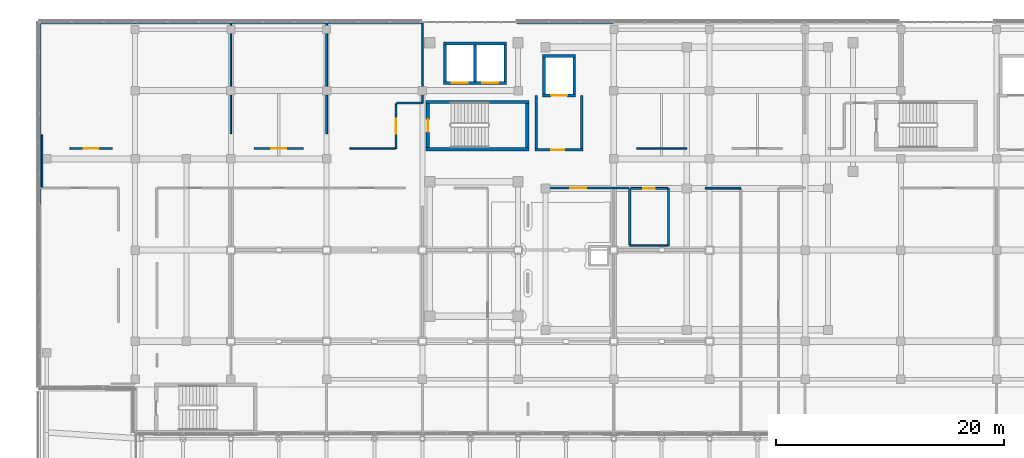
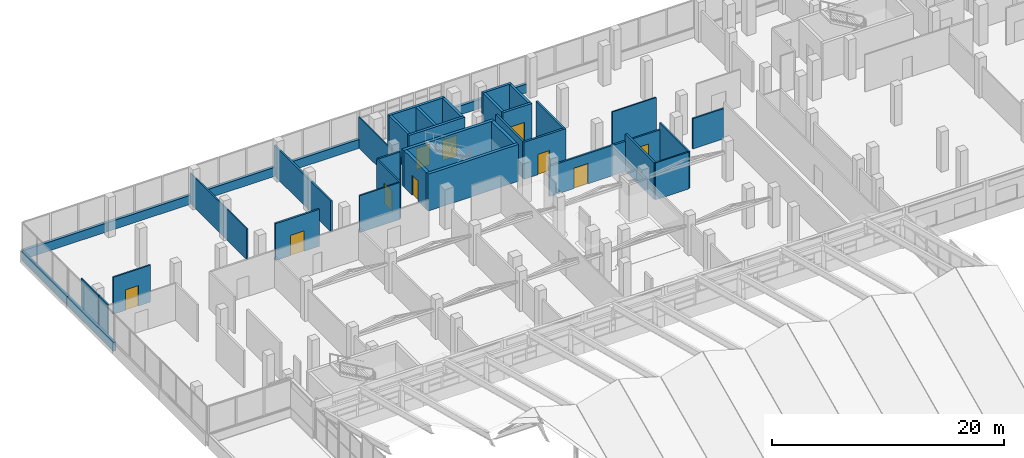
# One storey, part 166 of 184: 41 walls, 10 doors, 10 openings.
"""IFC4 building model written with IfcOpenShell, lengths in metres."""

import ifcopenshell
import ifcopenshell.guid

model = None  # the IFC model being written
_history = None  # IfcOwnerHistory: only IFC2X3 demands one
_inside = {}  # id of a spatial element -> (the spatial element, [elements in it])
_under = {}  # id of a project, library or spatial element -> (it, [spatial elements below it])
_declared = {}  # id of a project -> (the project, [libraries it declares])
_typed = {}  # id of a type object -> (the type object, [elements of that type])
_made_of = {}  # id of a material, layer set ... -> (it, [elements and type objects made of it])


def new_model(schema):
    """Start an empty IFC model of exactly this schema.

    Asked for "IFC4X3", IfcOpenShell would pick the latest addendum, in which some entities
    have other attributes; the version numbers below select the first issue.
    IFC2X3 requires an IfcOwnerHistory on every rooted entity: one is made here for all.
    """
    global model, _history
    if schema == "IFC4X3":
        model = ifcopenshell.file(schema_version=(4, 3, 0, 0))
    else:
        model = ifcopenshell.file(schema=schema)
    _inside.clear()
    _under.clear()
    _declared.clear()
    _typed.clear()
    _made_of.clear()
    _history = None
    if model.schema == "IFC2X3":
        org = make("IfcOrganization", Name="unknown")
        user = make(
            "IfcPersonAndOrganization",
            ThePerson=make("IfcPerson", FamilyName="unknown"),
            TheOrganization=org,
        )
        app = make(
            "IfcApplication",
            ApplicationDeveloper=org,
            Version="unknown",
            ApplicationFullName="unknown",
            ApplicationIdentifier="unknown",
        )
        _history = make(
            "IfcOwnerHistory",
            OwningUser=user,
            OwningApplication=app,
            ChangeAction="ADDED",
            CreationDate=0,
        )
    return model


def make(cls, **values):
    """One entity of the class cls with the attributes given. An attribute that is None is left unset."""
    return model.create_entity(
        cls, **{name: value for name, value in values.items() if value is not None}
    )


def rooted(cls, **values):
    """An entity with a GlobalId (a new one), such as an element, a storey or a relation."""
    return make(cls, GlobalId=ifcopenshell.guid.new(), OwnerHistory=_history, **values)


def si_unit(unit_type, name, prefix=None):
    """IfcSIUnit, for example si_unit("LENGTHUNIT", "METRE", prefix="MILLI")."""
    return make("IfcSIUnit", UnitType=unit_type, Prefix=prefix, Name=name)


def assignment(units):
    """IfcUnitAssignment: the units of a project."""
    return None if units is None else make("IfcUnitAssignment", Units=units)


def point(xyz):
    """IfcCartesianPoint."""
    return None if xyz is None else make("IfcCartesianPoint", Coordinates=xyz)


def direction(xyz):
    """IfcDirection."""
    return None if xyz is None else make("IfcDirection", DirectionRatios=xyz)


def frame(location, z_axis=None, x_axis=None):
    """IfcAxis2Placement3D, a coordinate frame: its origin and axes. An axis left out is left unset."""
    return make(
        "IfcAxis2Placement3D",
        Location=point(location),
        Axis=direction(z_axis),
        RefDirection=direction(x_axis),
    )


def frame_2d(location, x_axis=None):
    """IfcAxis2Placement2D, a coordinate frame in the plane: its origin and x axis."""
    return make(
        "IfcAxis2Placement2D", Location=point(location), RefDirection=direction(x_axis)
    )


def origin():
    """The frame at (0, 0, 0) with its axes left unset."""
    return frame((0.0, 0.0, 0.0))


def place(relative_to, where):
    """IfcLocalPlacement: puts the frame where relative to a parent placement (None: the world)."""
    return make(
        "IfcLocalPlacement", PlacementRelTo=relative_to, RelativePlacement=where
    )


def context(
    kind, dimensions, precision=None, world=None, true_north=None, identifier=None
):
    """IfcGeometricRepresentationContext, for example the 3D "Model" context."""
    return make(
        "IfcGeometricRepresentationContext",
        ContextIdentifier=identifier,
        ContextType=kind,
        CoordinateSpaceDimension=dimensions,
        Precision=precision,
        WorldCoordinateSystem=world,
        TrueNorth=true_north,
    )


def subcontext(parent, identifier, kind, view, scale=None):
    """IfcGeometricRepresentationSubContext, for example "Body" below "Model"."""
    return make(
        "IfcGeometricRepresentationSubContext",
        ContextIdentifier=identifier,
        ContextType=kind,
        ParentContext=parent,
        TargetScale=scale,
        TargetView=view,
    )


def project(units=None, contexts=None):
    """IfcProject with its units and contexts."""
    return rooted(
        "IfcProject",
        Name="project",
        RepresentationContexts=contexts,
        UnitsInContext=assignment(units),
    )


def spatial(cls, under=None, at=None, **own):
    """A site, building, storey or space (cls), placed at a placement, below another one or the project."""
    s = rooted(cls, ObjectPlacement=at, **own)
    if under is not None:
        _under.setdefault(under.id(), (under, []))[1].append(s)
    return s


def profile(cls, at=None, kind="AREA", **sizes):
    """A parametric profile (cls). Its sizes go by their IFC names, for example OverallWidth=200.0."""
    return make(cls, ProfileType=kind, Position=at, **sizes)


def rectangle(**sizes):
    """IfcRectangleProfileDef."""
    return profile("IfcRectangleProfileDef", **sizes)


def extrude(swept, where, along, depth):
    """IfcExtrudedAreaSolid: the profile swept, set in the frame where, extruded along a direction by depth."""
    return make(
        "IfcExtrudedAreaSolid",
        SweptArea=swept,
        Position=where,
        ExtrudedDirection=direction(along),
        Depth=depth,
    )


def shape(context_of_items, identifier, shape_type, items):
    """IfcShapeRepresentation: the items that make up one representation, for example the "Body"."""
    return make(
        "IfcShapeRepresentation",
        ContextOfItems=context_of_items,
        RepresentationIdentifier=identifier,
        RepresentationType=shape_type,
        Items=items,
    )


def material(Name=None, Category=None):
    """IfcMaterial."""
    return make("IfcMaterial", Name=Name, Category=Category)


def layer(
    of_material, thickness, ventilated=None, Name=None, Category=None, Priority=None
):
    """IfcMaterialLayer: one layer of a wall or slab, of a material (None: an air gap)."""
    return make(
        "IfcMaterialLayer",
        Material=of_material,
        LayerThickness=thickness,
        IsVentilated=ventilated,
        Name=Name,
        Category=Category,
        Priority=Priority,
    )


def layer_set(layers, Name=None):
    """IfcMaterialLayerSet."""
    return make("IfcMaterialLayerSet", MaterialLayers=layers, LayerSetName=Name)


def made_of(thing, what):
    """Note that an element or type object is made of a material, layer set ...; save() writes the relation."""
    if what is not None:
        _made_of.setdefault(what.id(), (what, []))[1].append(thing)
    return thing


def type_object(cls, material=None, **own):
    """A type object (cls), such as IfcWallType, which elements share."""
    return made_of(rooted(cls, **own), material)


def element(
    cls,
    number,
    at=None,
    inside=None,
    cuts=None,
    type_object=None,
    material=None,
    context=None,
    identifier="Body",
    shape_type=None,
    held_by="IfcProductDefinitionShape",
    body=None,
    shapes=None,
    **own,
):
    """One element of the class cls, such as IfcWall. Its Tag is "e" and its number.

    at: its placement. inside: the storey or other place that contains it. cuts: it is an
    opening in that element (IfcRelVoidsElement). A single representation is given by context,
    identifier, shape_type and body (its items); several are given by shapes. held_by: the class
    of the entity that holds the representations. save() writes the other relations.
    """
    e = rooted(cls, Tag="e%d" % number, ObjectPlacement=at, **own)
    if body is not None:
        shapes = [shape(context, identifier, shape_type, body)]
    if shapes is not None:
        e.Representation = make(held_by, Representations=shapes)
    if inside is not None:
        _inside.setdefault(inside.id(), (inside, []))[1].append(e)
    if cuts is not None:
        rooted(
            "IfcRelVoidsElement", RelatingBuildingElement=cuts, RelatedOpeningElement=e
        )
    if type_object is not None:
        _typed.setdefault(type_object.id(), (type_object, []))[1].append(e)
    return made_of(e, material)


def fill(opening, filler):
    """IfcRelFillsElement: the door or window that sits in an opening."""
    return rooted(
        "IfcRelFillsElement",
        RelatingOpeningElement=opening,
        RelatedBuildingElement=filler,
    )


def aggregate(whole, parts):
    """IfcRelAggregates: a whole, such as a stair, and the parts it consists of."""
    return rooted("IfcRelAggregates", RelatingObject=whole, RelatedObjects=parts)


def save(model, path):
    """Write the relations noted so far, then the file.

    IfcRelAggregates (storeys below a building ...), IfcRelContainedInSpatialStructure (elements
    in a storey), IfcRelDefinesByType, IfcRelAssociatesMaterial and IfcRelDeclares: one each for
    every whole, place, type object, material and project.
    """
    for whole, parts in _under.values():
        aggregate(whole, parts)
    for where, things in _inside.values():
        rooted(
            "IfcRelContainedInSpatialStructure",
            RelatedElements=things,
            RelatingStructure=where,
        )
    for kind, things in _typed.values():
        rooted("IfcRelDefinesByType", RelatedObjects=things, RelatingType=kind)
    for what, things in _made_of.values():
        rooted("IfcRelAssociatesMaterial", RelatedObjects=things, RelatingMaterial=what)
    for by, libraries in _declared.values():
        rooted("IfcRelDeclares", RelatingContext=by, RelatedDefinitions=libraries)
    model.write(path)


model = new_model("IFC4")

# Units and contexts
model_context = context("Model", 3, precision=1e-05, world=origin(), true_north=direction((0.0, 1.0)))
body_context = subcontext(model_context, "Body", "Model", "MODEL_VIEW")
ifc_project = project(units=[si_unit("LENGTHUNIT", "METRE"), si_unit("AREAUNIT", "SQUARE_METRE"), si_unit("VOLUMEUNIT", "CUBIC_METRE"), si_unit("PLANEANGLEUNIT", "RADIAN"), si_unit("MASSUNIT", "GRAM", prefix="KILO")], contexts=[model_context])

# Site, building, storey
site_placement = place(None, origin())
site = spatial("IfcSite", under=ifc_project, at=site_placement, CompositionType="ELEMENT")
building_placement = place(site_placement, origin())
building = spatial("IfcBuilding", under=site, at=building_placement, Name="Selatvlak General Hospital", CompositionType="ELEMENT")
storey_placement = place(building_placement, frame((0.0, 0.0, 15.0)))
storey = spatial("IfcBuildingStorey", under=building, at=storey_placement, Name="L03", CompositionType="ELEMENT", Elevation=15.0)

# Walls
ifc_material_1 = material(Name="Precast concrete C40/50 - white Bauhaus spandrel", Category="concrete")
ifc_layer_1 = layer(ifc_material_1, 0.280029296875, Name="Precast concrete C40/50 - white Bauhaus spandrel", Category="concrete")
ifc_layer_set_1 = layer_set([ifc_layer_1], Name="Precast concrete C40/50 - white Bauhaus spandrel")
wall_type_1 = type_object("IfcWallType", Name="WALL-EW-02", PredefinedType="SOLIDWALL", material=ifc_layer_set_1)
wall_1_placement = place(storey_placement, frame((14.39990234375, 104.0009765625, 0.0), z_axis=(0.0, 0.0, 1.0), x_axis=(0.0, 1.0, 0.0)))
element("IfcWall", 1, at=wall_1_placement, inside=storey, type_object=wall_type_1, Name="L03 Bauhaus spandrel sill wall 0360", PredefinedType="SOLIDWALL", context=body_context, shape_type="SweptSolid", body=[
    extrude(rectangle(XDim=7.99609375, YDim=0.280029296875, at=frame_2d((3.998046875, 0.0))), origin(), (0.0, 0.0, 1.0), 0.93994140625),
])
wall_2_placement = place(storey_placement, frame((14.39990234375, 112.0009765625, 0.0), z_axis=(0.0, 0.0, 1.0), x_axis=(0.0, 1.0, 0.0)))
element("IfcWall", 2, at=wall_2_placement, inside=storey, type_object=wall_type_1, Name="L03 Bauhaus spandrel sill wall 0361", PredefinedType="SOLIDWALL", context=body_context, shape_type="SweptSolid", body=[
    extrude(rectangle(XDim=7.85791015625, YDim=0.280029296875, at=frame_2d((3.928955078125, 0.0))), origin(), (0.0, 0.0, 1.0), 0.93994140625),
])
wall_3_placement = place(storey_placement, frame((14.5400390625, 119.9990234375, 0.0), z_axis=(0.0, 0.0, 1.0), x_axis=(1.0, 0.0, 0.0)))
element("IfcWall", 3, at=wall_3_placement, inside=storey, type_object=wall_type_1, Name="L03 Bauhaus spandrel sill wall 0362", PredefinedType="SOLIDWALL", context=body_context, shape_type="SweptSolid", body=[
    extrude(rectangle(XDim=8.238037109375, YDim=0.280029296875, at=frame_2d((4.119140625, 0.0))), origin(), (0.0, 0.0, 1.0), 0.93994140625),
])
for number, where, z_axis, x_axis, name in (
    (4, (22.781982421875, 119.9990234375, 0.0), (0.0, 0.0, 1.0), (1.0, 0.0, 0.0), "L03 Bauhaus spandrel sill wall 0363"),
    (5, (31.162109375, 119.9990234375, 0.0), (0.0, 0.0, 1.0), (1.0, 0.0, 0.0), "L03 Bauhaus spandrel sill wall 0364"),
    (6, (39.5419921875, 119.9990234375, 0.0), (0.0, 0.0, 1.0), (1.0, 0.0, 0.0), "L03 Bauhaus spandrel sill wall 0365"),
    (7, (56.302001953125, 119.9990234375, 0.0), (0.0, 0.0, 1.0), (1.0, 0.0, 0.0), "L03 Bauhaus spandrel sill wall 0366"),
):
    element("IfcWall", number, at=place(storey_placement, frame(where, z_axis=z_axis, x_axis=x_axis)), inside=storey, type_object=wall_type_1, Name=name, PredefinedType="SOLIDWALL", context=body_context, shape_type="SweptSolid", body=[
        extrude(rectangle(XDim=8.3759765625, YDim=0.280029296875, at=frame_2d((4.18798828125, 0.0))), origin(), (0.0, 0.0, 1.0), 0.93994140625),
    ])

# Wall, opening, door
ifc_material_2 = material(Name="Concrete C40/50", Category="concrete")
ifc_layer_2 = layer(ifc_material_2, 0.199951171875, Name="Concrete C40/50", Category="concrete")
ifc_layer_set_2 = layer_set([ifc_layer_2], Name="Concrete C40/50")
wall_type_2 = type_object("IfcWallType", Name="WALL-IW-02", PredefinedType="SOLIDWALL", material=ifc_layer_set_2)
wall_4_placement = place(storey_placement, frame((57.89990234375, 108.800048828125, 0.0), z_axis=(0.0, 0.0, 1.0), x_axis=(1.0, 0.0, 0.0)))
wall_4 = element("IfcWall", 8, at=wall_4_placement, inside=storey, type_object=wall_type_2, Name="Firefighting lobby C1 wall L03 S", PredefinedType="SOLIDWALL", context=body_context, shape_type="SweptSolid", body=[
    extrude(rectangle(XDim=4.2001953125, YDim=0.199951171875, at=frame_2d((2.10009765625, 0.0))), origin(), (0.0, 0.0, 1.0), 3.89501953125),
])
opening_1_placement = place(wall_4_placement, frame((1.425048828125, 0.0, 0.0)))
opening_1 = element("IfcOpeningElement", 9, at=opening_1_placement, cuts=wall_4, Name="Opening D-06", PredefinedType="OPENING", context=body_context, shape_type="SweptSolid", body=[
    extrude(rectangle(XDim=1.14990234375, YDim=2.14990234375, at=frame_2d((0.574951171875, 1.074951171875))), frame((0.0, 0.10986328125, 0.0), z_axis=(0.0, -1.0, 0.0), x_axis=(1.0, 0.0, 0.0)), (0.0, 0.0, 1.0), 0.219970703125),
])
ifc_material_3 = material(Name="Firefighting lobby fire door")
door_type_1 = type_object("IfcDoorType", Name="DOOR-D-06", OperationType="NOTDEFINED", PredefinedType="DOOR", material=ifc_material_3)
door_1_placement = place(opening_1_placement, origin())
door_1 = element("IfcDoor", 10, at=door_1_placement, inside=storey, type_object=door_type_1, Name="Firefighting lobby C1 door on L03", OperationType="SINGLE_SWING_RIGHT", OverallHeight=2.14990234375, OverallWidth=1.14990234375, PredefinedType="DOOR", context=body_context, shape_type="SweptSolid", body=[
    extrude(rectangle(XDim=1.14990234375, YDim=2.14990234375, at=frame_2d((0.574951171875, 1.074951171875))), frame((0.0, 0.02490234375, 0.0), z_axis=(0.0, -1.0, 0.0), x_axis=(1.0, 0.0, 0.0)), (0.0, 0.0, 1.0), 0.050048828125),
])
fill(opening_1, door_1)

# Walls
for number, where, z_axis, x_axis, name in (
    (11, (62.0, 108.89990234375, 0.0), (0.0, 0.0, 1.0), (0.0, 1.0, 0.0), "Firefighting lobby C1 wall L03 E"),
    (12, (58.0, 113.550048828125, 0.0), (0.0, 0.0, 1.0), (0.0, -1.0, 0.0), "Firefighting lobby C1 wall L03 W"),
):
    element("IfcWall", number, at=place(storey_placement, frame(where, z_axis=z_axis, x_axis=x_axis)), inside=storey, type_object=wall_type_2, Name=name, PredefinedType="SOLIDWALL", context=body_context, shape_type="SweptSolid", body=[
        extrude(rectangle(XDim=4.650146484375, YDim=0.199951171875, at=frame_2d((2.3251953125, 0.0))), origin(), (0.0, 0.0, 1.0), 3.89501953125),
    ])
ifc_material_4 = material(Name="Acoustic gypsum stud partition")
ifc_layer_3 = layer(ifc_material_4, 0.179931640625, Name="Acoustic gypsum stud partition")
ifc_layer_set_3 = layer_set([ifc_layer_3], Name="Acoustic gypsum stud partition")
wall_type_3 = type_object("IfcWallType", Name="WALL-PT-01", PredefinedType="PARTITIONING", material=ifc_layer_set_3)
wall_5_placement = place(storey_placement, frame((66.199951171875, 100.464111328125, 0.0), z_axis=(0.0, 0.0, 1.0), x_axis=(0.0, 1.0, 0.0)))
element("IfcWall", 13, at=wall_5_placement, inside=storey, type_object=wall_type_3, Name="L03 clinical partition PT-L03-1368", PredefinedType="PARTITIONING", context=body_context, shape_type="SweptSolid", body=[
    extrude(rectangle(XDim=4.955810546875, YDim=0.179931640625, at=frame_2d((2.47802734375, 0.0))), origin(), (0.0, 0.0, 1.0), 3.89501953125),
])

# Wall, opening, door
wall_6_placement = place(storey_placement, frame((58.534912109375, 105.43994140625, 0.0), z_axis=(0.0, 0.0, 1.0), x_axis=(1.0, 0.0, 0.0)))
wall_6 = element("IfcWall", 14, at=wall_6_placement, inside=storey, type_object=wall_type_3, Name="L03 clinical partition PT-L03-1563", PredefinedType="PARTITIONING", context=body_context, shape_type="SweptSolid", body=[
    extrude(rectangle(XDim=6.26513671875, YDim=0.179931640625, at=frame_2d((3.132568359375, 0.0))), origin(), (0.0, 0.0, 1.0), 3.195068359375),
])
opening_2_placement = place(wall_6_placement, frame((2.43310546875, 0.0, 0.0)))
opening_2 = element("IfcOpeningElement", 15, at=opening_2_placement, cuts=wall_6, Name="Opening D-11", PredefinedType="OPENING", context=body_context, shape_type="SweptSolid", body=[
    extrude(rectangle(XDim=1.39990234375, YDim=2.14990234375, at=frame_2d((0.699951171875, 1.074951171875))), frame((0.0, 0.099853515625, 0.0), z_axis=(0.0, -1.0, 0.0), x_axis=(1.0, 0.0, 0.0)), (0.0, 0.0, 1.0), 0.199951171875),
])
ifc_material_5 = material(Name="Inpatient suite bed door")
door_type_2 = type_object("IfcDoorType", Name="DOOR-D-11", OperationType="NOTDEFINED", PredefinedType="DOOR", material=ifc_material_5)
door_2_placement = place(opening_2_placement, origin())
door_2 = element("IfcDoor", 16, at=door_2_placement, inside=storey, type_object=door_type_2, Name="L03 Medical Vacuum Plant Room 35 door", OperationType="SINGLE_SWING_RIGHT", OverallHeight=2.14990234375, OverallWidth=1.39990234375, PredefinedType="DOOR", context=body_context, shape_type="SweptSolid", body=[
    extrude(rectangle(XDim=1.39990234375, YDim=2.14990234375, at=frame_2d((0.699951171875, 1.074951171875))), frame((0.0, 0.02490234375, 0.0), z_axis=(0.0, -1.0, 0.0), x_axis=(1.0, 0.0, 0.0)), (0.0, 0.0, 1.0), 0.050048828125),
])
fill(opening_2, door_2)

# Wall
wall_7_placement = place(storey_placement, frame((64.800048828125, 105.43994140625, 0.0), z_axis=(0.0, 0.0, 1.0), x_axis=(1.0, 0.0, 0.0)))
element("IfcWall", 17, at=wall_7_placement, inside=storey, type_object=wall_type_3, Name="L03 clinical partition PT-L03-1565", PredefinedType="PARTITIONING", context=body_context, shape_type="SweptSolid", body=[
    extrude(rectangle(XDim=1.320068359375, YDim=0.179931640625, at=frame_2d((0.66015625, 0.0))), origin(), (0.0, 0.0, 1.0), 3.195068359375),
])

# Wall, opening, door
wall_8_placement = place(storey_placement, frame((37.589111328125, 108.909912109375, 0.0), z_axis=(0.0, 0.0, 1.0), x_axis=(-1.0, 0.0, 0.0)))
wall_8 = element("IfcWall", 18, at=wall_8_placement, inside=storey, type_object=wall_type_3, Name="L03 clinical partition PT-L03-1615", PredefinedType="PARTITIONING", context=body_context, shape_type="SweptSolid", body=[
    extrude(rectangle(XDim=4.378173828125, YDim=0.179931640625, at=frame_2d((2.18896484375, 0.0))), origin(), (0.0, 0.0, 1.0), 3.89501953125),
])
opening_3_placement = place(wall_8_placement, frame((1.513916015625, 0.0, 0.0)))
opening_3 = element("IfcOpeningElement", 19, at=opening_3_placement, cuts=wall_8, Name="Opening D-10", PredefinedType="OPENING", context=body_context, shape_type="SweptSolid", body=[
    extrude(rectangle(XDim=1.35009765625, YDim=2.14990234375, at=frame_2d((0.675048828125, 1.074951171875))), frame((0.0, 0.099853515625, 0.0), z_axis=(0.0, -1.0, 0.0), x_axis=(1.0, 0.0, 0.0)), (0.0, 0.0, 1.0), 0.199951171875),
])
ifc_material_6 = material(Name="Single patient bed door")
door_type_3 = type_object("IfcDoorType", Name="DOOR-D-10", OperationType="NOTDEFINED", PredefinedType="DOOR", material=ifc_material_6)
door_3_placement = place(opening_3_placement, origin())
door_3 = element("IfcDoor", 20, at=door_3_placement, inside=storey, type_object=door_type_3, Name="L03 Microbiology Serology Laboratory 51 door", OperationType="SINGLE_SWING_LEFT", OverallHeight=2.14990234375, OverallWidth=1.35009765625, PredefinedType="DOOR", context=body_context, shape_type="SweptSolid", body=[
    extrude(rectangle(XDim=1.35009765625, YDim=2.14990234375, at=frame_2d((0.675048828125, 1.074951171875))), frame((0.0, 0.02490234375, 0.0), z_axis=(0.0, -1.0, 0.0), x_axis=(1.0, 0.0, 0.0)), (0.0, 0.0, 1.0), 0.050048828125),
])
fill(opening_3, door_3)

# Walls
wall_9_placement = place(storey_placement, frame((47.944091796875, 112.89990234375, 0.0), z_axis=(0.0, 0.0, 1.0), x_axis=(-1.0, 0.0, 0.0)))
element("IfcWall", 21, at=wall_9_placement, inside=storey, type_object=wall_type_3, Name="L03 clinical partition PT-L03-1620", PredefinedType="PARTITIONING", context=body_context, shape_type="SweptSolid", body=[
    extrude(rectangle(XDim=2.194091796875, YDim=0.179931640625, at=frame_2d((1.09716796875, 0.0))), origin(), (0.0, 0.0, 1.0), 3.89501953125),
])
ifc_layer_4 = layer(ifc_material_4, 0.1650390625, Name="Acoustic gypsum stud partition")
ifc_layer_set_4 = layer_set([ifc_layer_4], Name="Acoustic gypsum stud partition")
wall_type_4 = type_object("IfcWallType", Name="WALL-PT-02", PredefinedType="PARTITIONING", material=ifc_layer_set_4)
wall_10_placement = place(storey_placement, frame((69.60009765625, 105.419921875, 0.0), z_axis=(0.0, 0.0, 1.0), x_axis=(0.0, -1.0, 0.0)))
element("IfcWall", 22, at=wall_10_placement, inside=storey, type_object=wall_type_4, Name="L03 clinical partition PT-L03-1366", PredefinedType="PARTITIONING", context=body_context, shape_type="SweptSolid", body=[
    extrude(rectangle(XDim=5.02001953125, YDim=0.1650390625, at=frame_2d((2.510009765625, 0.0))), origin(), (0.0, 0.0, 1.0), 3.89501953125),
])

# Wall, opening, door
wall_11_placement = place(storey_placement, frame((66.285888671875, 105.419921875, 0.0), z_axis=(0.0, 0.0, 1.0), x_axis=(1.0, 0.0, 0.0)))
wall_11 = element("IfcWall", 23, at=wall_11_placement, inside=storey, type_object=wall_type_4, Name="L03 clinical partition PT-L03-1369", PredefinedType="PARTITIONING", context=body_context, shape_type="SweptSolid", body=[
    extrude(rectangle(XDim=3.235107421875, YDim=0.1650390625, at=frame_2d((1.61767578125, 0.0))), origin(), (0.0, 0.0, 1.0), 3.195068359375),
])
opening_4_placement = place(wall_11_placement, frame((1.116943359375, 0.0, 0.0)))
opening_4 = element("IfcOpeningElement", 24, at=opening_4_placement, cuts=wall_11, Name="Opening D-03", PredefinedType="OPENING", context=body_context, shape_type="SweptSolid", body=[
    extrude(rectangle(XDim=1.0, YDim=2.10009765625, at=frame_2d((0.5, 1.050048828125))), frame((0.0, 0.092529296875, 0.0), z_axis=(0.0, -1.0, 0.0), x_axis=(1.0, 0.0, 0.0)), (0.0, 0.0, 1.0), 0.18505859375),
])
ifc_material_7 = material(Name="Accessible WC door")
door_type_4 = type_object("IfcDoorType", Name="DOOR-D-03", OperationType="NOTDEFINED", PredefinedType="DOOR", material=ifc_material_7)
door_4_placement = place(opening_4_placement, origin())
door_4 = element("IfcDoor", 25, at=door_4_placement, inside=storey, type_object=door_type_4, Name="L03 Accessible WC door", OperationType="SINGLE_SWING_LEFT", OverallHeight=2.10009765625, OverallWidth=1.0, PredefinedType="DOOR", context=body_context, shape_type="SweptSolid", body=[
    extrude(rectangle(XDim=1.0, YDim=2.10009765625, at=frame_2d((0.5, 1.050048828125))), frame((0.0, 0.02490234375, 0.0), z_axis=(0.0, -1.0, 0.0), x_axis=(1.0, 0.0, 0.0)), (0.0, 0.0, 1.0), 0.050048828125),
])
fill(opening_4, door_4)

# Walls
wall_12_placement = place(storey_placement, frame((72.820068359375, 105.43994140625, 0.0), z_axis=(0.0, 0.0, 1.0), x_axis=(1.0, 0.0, 0.0)))
element("IfcWall", 26, at=wall_12_placement, inside=storey, type_object=wall_type_4, Name="L03 clinical partition PT-L03-1566", PredefinedType="PARTITIONING", context=body_context, shape_type="SweptSolid", body=[
    extrude(rectangle(XDim=3.119873046875, YDim=0.1650390625, at=frame_2d((1.56005859375, 0.0))), origin(), (0.0, 0.0, 1.0), 3.195068359375),
])
wall_13_placement = place(storey_placement, frame((39.60009765625, 119.95703125, 0.0), z_axis=(0.0, 0.0, 1.0), x_axis=(0.0, -1.0, 0.0)))
element("IfcWall", 27, at=wall_13_placement, inside=storey, type_object=wall_type_4, Name="L03 clinical partition PT-L03-1616", PredefinedType="PARTITIONING", context=body_context, shape_type="SweptSolid", body=[
    extrude(rectangle(XDim=9.7470703125, YDim=0.1650390625, at=frame_2d((4.87353515625, 0.0))), origin(), (0.0, 0.0, 1.0), 3.2451171875),
])

# Wall, opening, door
ifc_layer_5 = layer(ifc_material_4, 0.14990234375, Name="Acoustic gypsum stud partition")
ifc_layer_set_5 = layer_set([ifc_layer_5], Name="Acoustic gypsum stud partition")
wall_type_5 = type_object("IfcWallType", Name="WALL-PT-03", PredefinedType="PARTITIONING", material=ifc_layer_set_5)
wall_14_placement = place(storey_placement, frame((20.7890625, 108.909912109375, 0.0), z_axis=(0.0, 0.0, 1.0), x_axis=(-1.0, 0.0, 0.0)))
wall_14 = element("IfcWall", 28, at=wall_14_placement, inside=storey, type_object=wall_type_5, Name="L03 clinical partition PT-L03-1612", PredefinedType="PARTITIONING", context=body_context, shape_type="SweptSolid", body=[
    extrude(rectangle(XDim=3.72802734375, YDim=0.14990234375, at=frame_2d((1.864013671875, 0.0))), origin(), (0.0, 0.0, 1.0), 3.89501953125),
])
opening_5_placement = place(wall_14_placement, frame((1.239013671875, 0.0, 0.0)))
opening_5 = element("IfcOpeningElement", 29, at=opening_5_placement, cuts=wall_14, Name="Opening D-08", PredefinedType="OPENING", context=body_context, shape_type="SweptSolid", body=[
    extrude(rectangle(XDim=1.25, YDim=2.14990234375, at=frame_2d((0.625, 1.074951171875))), frame((0.0, 0.0849609375, 0.0), z_axis=(0.0, -1.0, 0.0), x_axis=(1.0, 0.0, 0.0)), (0.0, 0.0, 1.0), 0.169921875),
])
ifc_material_8 = material(Name="Diagnostic treatment door")
door_type_5 = type_object("IfcDoorType", Name="DOOR-D-08", OperationType="NOTDEFINED", PredefinedType="DOOR", material=ifc_material_8)
door_5_placement = place(opening_5_placement, origin())
door_5 = element("IfcDoor", 30, at=door_5_placement, inside=storey, type_object=door_type_5, Name="L03 Outpatient Specialist Waiting Concourse 50 door", OperationType="SINGLE_SWING_RIGHT", OverallHeight=2.14990234375, OverallWidth=1.25, PredefinedType="DOOR", context=body_context, shape_type="SweptSolid", body=[
    extrude(rectangle(XDim=1.25, YDim=2.14990234375, at=frame_2d((0.625, 1.074951171875))), frame((0.0, 0.02490234375, 0.0), z_axis=(0.0, -1.0, 0.0), x_axis=(1.0, 0.0, 0.0)), (0.0, 0.0, 1.0), 0.050048828125),
])
fill(opening_5, door_5)

wall_15_placement = place(storey_placement, frame((45.68994140625, 112.840087890625, 0.0), z_axis=(0.0, 0.0, 1.0), x_axis=(0.0, -1.0, 0.0)))
wall_15 = element("IfcWall", 31, at=wall_15_placement, inside=storey, type_object=wall_type_5, Name="L03 clinical partition PT-L03-1617", PredefinedType="PARTITIONING", context=body_context, shape_type="SweptSolid", body=[
    extrude(rectangle(XDim=3.93017578125, YDim=0.14990234375, at=frame_2d((1.965087890625, 0.0))), origin(), (0.0, 0.0, 1.0), 3.89501953125),
])
opening_6_placement = place(wall_15_placement, frame((1.31494140625, 0.0, 0.0)))
opening_6 = element("IfcOpeningElement", 32, at=opening_6_placement, cuts=wall_15, Name="Opening D-24", PredefinedType="OPENING", context=body_context, shape_type="SweptSolid", body=[
    extrude(rectangle(XDim=1.300048828125, YDim=2.14990234375, at=frame_2d((0.64990234375, 1.074951171875))), frame((0.0, 0.0849609375, 0.0), z_axis=(0.0, -1.0, 0.0), x_axis=(1.0, 0.0, 0.0)), (0.0, 0.0, 1.0), 0.169921875),
])
ifc_material_9 = material(Name="Oncology bay door")
door_type_6 = type_object("IfcDoorType", Name="DOOR-D-24", OperationType="NOTDEFINED", PredefinedType="DOOR", material=ifc_material_9)
door_6_placement = place(opening_6_placement, origin())
door_6 = element("IfcDoor", 33, at=door_6_placement, inside=storey, type_object=door_type_6, Name="L03 Hospital Transfusion Blood Bank 52 door", OperationType="SINGLE_SWING_RIGHT", OverallHeight=2.14990234375, OverallWidth=1.300048828125, PredefinedType="DOOR", context=body_context, shape_type="SweptSolid", body=[
    extrude(rectangle(XDim=1.300048828125, YDim=2.14990234375, at=frame_2d((0.64990234375, 1.074951171875))), frame((0.0, 0.02490234375, 0.0), z_axis=(0.0, -1.0, 0.0), x_axis=(1.0, 0.0, 0.0)), (0.0, 0.0, 1.0), 0.050048828125),
])
fill(opening_6, door_6)

# Walls
ifc_material_10 = material(Name="Moisture-resistant clinical partition")
ifc_layer_6 = layer(ifc_material_10, 0.135009765625, Name="Moisture-resistant clinical partition")
ifc_layer_set_6 = layer_set([ifc_layer_6], Name="Moisture-resistant clinical partition")
wall_type_6 = type_object("IfcWallType", Name="WALL-PT-04", PredefinedType="PARTITIONING", material=ifc_layer_set_6)
wall_16_placement = place(storey_placement, frame((69.52099609375, 100.39990234375, 0.0), z_axis=(0.0, 0.0, 1.0), x_axis=(-1.0, 0.0, 0.0)))
element("IfcWall", 34, at=wall_16_placement, inside=storey, type_object=wall_type_6, Name="L03 clinical partition PT-L03-1367", PredefinedType="PARTITIONING", context=body_context, shape_type="SweptSolid", body=[
    extrude(rectangle(XDim=3.321044921875, YDim=0.135009765625, at=frame_2d((1.66064453125, 0.0))), origin(), (0.0, 0.0, 1.0), 3.89501953125),
])
wall_17_placement = place(storey_placement, frame((14.639892578125, 107.10009765625, 0.0), z_axis=(0.0, 0.0, 1.0), x_axis=(0.0, -1.0, 0.0)))
element("IfcWall", 35, at=wall_17_placement, inside=storey, type_object=wall_type_6, Name="L03 clinical partition PT-L03-1553", PredefinedType="PARTITIONING", context=body_context, shape_type="SweptSolid", body=[
    extrude(rectangle(XDim=1.60400390625, YDim=0.135009765625, at=frame_2d((0.802001953125, 0.0))), origin(), (0.0, 0.0, 1.0), 3.89501953125),
])
wall_18_placement = place(storey_placement, frame((14.639892578125, 110.118896484375, 0.0), z_axis=(0.0, 0.0, 1.0), x_axis=(0.0, -1.0, 0.0)))
element("IfcWall", 36, at=wall_18_placement, inside=storey, type_object=wall_type_6, Name="L03 clinical partition PT-L03-1613", PredefinedType="PARTITIONING", context=body_context, shape_type="SweptSolid", body=[
    extrude(rectangle(XDim=3.018798828125, YDim=0.135009765625, at=frame_2d((1.50927734375, 0.0))), origin(), (0.0, 0.0, 1.0), 3.89501953125),
])
wall_19_placement = place(storey_placement, frame((45.618896484375, 108.909912109375, 0.0), z_axis=(0.0, 0.0, 1.0), x_axis=(-1.0, 0.0, 0.0)))
element("IfcWall", 37, at=wall_19_placement, inside=storey, type_object=wall_type_6, Name="L03 clinical partition PT-L03-1618", PredefinedType="PARTITIONING", context=body_context, shape_type="SweptSolid", body=[
    extrude(rectangle(XDim=4.0078125, YDim=0.135009765625, at=frame_2d((2.00390625, 0.0))), origin(), (0.0, 0.0, 1.0), 3.89501953125),
])
ifc_layer_7 = layer(ifc_material_10, 0.1201171875, Name="Moisture-resistant clinical partition")
ifc_layer_set_7 = layer_set([ifc_layer_7], Name="Moisture-resistant clinical partition")
wall_type_7 = type_object("IfcWallType", Name="WALL-PT-05", PredefinedType="PARTITIONING", material=ifc_layer_set_7)
wall_20_placement = place(storey_placement, frame((31.199951171875, 119.95703125, 0.0), z_axis=(0.0, 0.0, 1.0), x_axis=(0.0, -1.0, 0.0)))
element("IfcWall", 38, at=wall_20_placement, inside=storey, type_object=wall_type_7, Name="L03 clinical partition PT-L03-1614", PredefinedType="PARTITIONING", context=body_context, shape_type="SweptSolid", body=[
    extrude(rectangle(XDim=9.7470703125, YDim=0.1201171875, at=frame_2d((4.87353515625, 0.0))), origin(), (0.0, 0.0, 1.0), 3.2451171875),
])
wall_21_placement = place(storey_placement, frame((48.0, 119.988037109375, 0.0), z_axis=(0.0, 0.0, 1.0), x_axis=(0.0, -1.0, 0.0)))
element("IfcWall", 39, at=wall_21_placement, inside=storey, type_object=wall_type_7, Name="L03 clinical partition PT-L03-1619", PredefinedType="PARTITIONING", context=body_context, shape_type="SweptSolid", body=[
    extrude(rectangle(XDim=7.088134765625, YDim=0.1201171875, at=frame_2d((3.5439453125, 0.0))), origin(), (0.0, 0.0, 1.0), 3.2451171875),
])
wall_22_placement = place(storey_placement, frame((71.18896484375, 108.909912109375, 0.0), z_axis=(0.0, 0.0, 1.0), x_axis=(-1.0, 0.0, 0.0)))
element("IfcWall", 40, at=wall_22_placement, inside=storey, type_object=wall_type_7, Name="L03 clinical partition PT-L03-1624", PredefinedType="PARTITIONING", context=body_context, shape_type="SweptSolid", body=[
    extrude(rectangle(XDim=4.3779296875, YDim=0.1201171875, at=frame_2d((2.18896484375, 0.0))), origin(), (0.0, 0.0, 1.0), 3.89501953125),
])
ifc_material_11 = material(Name="Concrete C45/55", Category="concrete")
ifc_layer_8 = layer(ifc_material_11, 0.300048828125, Name="Concrete C45/55", Category="concrete")
ifc_layer_set_8 = layer_set([ifc_layer_8], Name="Concrete C45/55")
wall_type_8 = type_object("IfcWallType", Name="WALL-SW-02", PredefinedType="SHEAR", material=ifc_layer_set_8)
wall_23_placement = place(storey_placement, frame((48.340087890625, 108.840087890625, 0.0), z_axis=(0.0, 0.0, 1.0), x_axis=(1.0, 0.0, 0.0)))
element("IfcWall", 41, at=wall_23_placement, inside=storey, type_object=wall_type_8, Name="ST-01 core shear wall L03 S", PredefinedType="SHEAR", context=body_context, shape_type="SweptSolid", body=[
    extrude(rectangle(XDim=9.02001953125, YDim=0.300048828125, at=frame_2d((4.510009765625, 0.0))), origin(), (0.0, 0.0, 1.0), 3.89501953125),
])
wall_24_placement = place(storey_placement, frame((57.2099609375, 108.989990234375, 0.0), z_axis=(0.0, 0.0, 1.0), x_axis=(0.0, 1.0, 0.0)))
element("IfcWall", 42, at=wall_24_placement, inside=storey, type_object=wall_type_8, Name="ST-01 core shear wall L03 E", PredefinedType="SHEAR", context=body_context, shape_type="SweptSolid", body=[
    extrude(rectangle(XDim=3.860107421875, YDim=0.300048828125, at=frame_2d((1.93017578125, 0.0))), origin(), (0.0, 0.0, 1.0), 3.89501953125),
])
wall_25_placement = place(storey_placement, frame((57.360107421875, 113.0, 0.0), z_axis=(0.0, 0.0, 1.0), x_axis=(-1.0, 0.0, 0.0)))
element("IfcWall", 43, at=wall_25_placement, inside=storey, type_object=wall_type_8, Name="ST-01 core shear wall L03 N", PredefinedType="SHEAR", context=body_context, shape_type="SweptSolid", body=[
    extrude(rectangle(XDim=9.02001953125, YDim=0.300048828125, at=frame_2d((4.510009765625, 0.0))), origin(), (0.0, 0.0, 1.0), 3.89501953125),
])

# Wall, opening, door
wall_26_placement = place(storey_placement, frame((48.489990234375, 112.85009765625, 0.0), z_axis=(0.0, 0.0, 1.0), x_axis=(0.0, -1.0, 0.0)))
wall_26 = element("IfcWall", 44, at=wall_26_placement, inside=storey, type_object=wall_type_8, Name="ST-01 core shear wall L03 W", PredefinedType="SHEAR", context=body_context, shape_type="SweptSolid", body=[
    extrude(rectangle(XDim=3.860107421875, YDim=0.300048828125, at=frame_2d((1.93017578125, 0.0))), origin(), (0.0, 0.0, 1.0), 3.89501953125),
])
opening_7_placement = place(wall_26_placement, frame((1.3798828125, 0.0, 0.0)))
opening_7 = element("IfcOpeningElement", 45, at=opening_7_placement, cuts=wall_26, Name="Opening D-05", PredefinedType="OPENING", context=body_context, shape_type="SweptSolid", body=[
    extrude(rectangle(XDim=1.10009765625, YDim=2.14990234375, at=frame_2d((0.550048828125, 1.074951171875))), frame((0.0, 0.159912109375, 0.0), z_axis=(0.0, -1.0, 0.0), x_axis=(1.0, 0.0, 0.0)), (0.0, 0.0, 1.0), 0.320068359375),
])
ifc_material_12 = material(Name="Protected stair fire door")
door_type_7 = type_object("IfcDoorType", Name="DOOR-D-05", OperationType="NOTDEFINED", PredefinedType="DOOR", material=ifc_material_12)
door_7_placement = place(opening_7_placement, origin())
door_7 = element("IfcDoor", 46, at=door_7_placement, inside=storey, type_object=door_type_7, Name="ST-01 protected stair door on L03", OperationType="SINGLE_SWING_LEFT", OverallHeight=2.14990234375, OverallWidth=1.10009765625, PredefinedType="DOOR", context=body_context, shape_type="SweptSolid", body=[
    extrude(rectangle(XDim=1.10009765625, YDim=2.14990234375, at=frame_2d((0.550048828125, 1.074951171875))), frame((0.0, 0.02490234375, 0.0), z_axis=(0.0, -1.0, 0.0), x_axis=(1.0, 0.0, 0.0)), (0.0, 0.0, 1.0), 0.050048828125),
])
fill(opening_7, door_7)

ifc_layer_9 = layer(ifc_material_2, 0.25, Name="Concrete C40/50", Category="concrete")
ifc_layer_set_9 = layer_set([ifc_layer_9], Name="Concrete C40/50")
wall_type_9 = type_object("IfcWallType", Name="WALL-SW-03", PredefinedType="SHEAR", material=ifc_layer_set_9)
wall_27_placement = place(storey_placement, frame((58.550048828125, 113.574951171875, 0.0), z_axis=(0.0, 0.0, 1.0), x_axis=(1.0, 0.0, 0.0)))
wall_27 = element("IfcWall", 47, at=wall_27_placement, inside=storey, type_object=wall_type_9, Name="Lift LF-01 shaft wall L03 S", PredefinedType="SHEAR", context=body_context, shape_type="SweptSolid", body=[
    extrude(rectangle(XDim=2.89990234375, YDim=0.25, at=frame_2d((1.449951171875, 0.0))), origin(), (0.0, 0.0, 1.0), 3.89501953125),
])
opening_8_placement = place(wall_27_placement, frame((0.75, 0.0, 0.0)))
opening_8 = element("IfcOpeningElement", 48, at=opening_8_placement, cuts=wall_27, Name="Opening LD-F1", PredefinedType="OPENING", context=body_context, shape_type="SweptSolid", body=[
    extrude(rectangle(XDim=1.39990234375, YDim=2.14990234375, at=frame_2d((0.699951171875, 1.074951171875))), frame((0.0, 0.135009765625, 0.0), z_axis=(0.0, -1.0, 0.0), x_axis=(1.0, 0.0, 0.0)), (0.0, 0.0, 1.0), 0.27001953125),
])
ifc_material_13 = material(Name="Stainless steel fire lift landing door", Category="steel")
door_type_8 = type_object("IfcDoorType", Name="DOOR-LD-F1", OperationType="DOUBLE_DOOR_SLIDING", PredefinedType="DOOR", material=ifc_material_13)
door_8_placement = place(opening_8_placement, origin())
door_8 = element("IfcDoor", 49, at=door_8_placement, inside=storey, type_object=door_type_8, Name="Lift LF-01 sliding landing door on L03", OperationType="DOUBLE_DOOR_SLIDING", OverallHeight=2.14990234375, OverallWidth=1.39990234375, PredefinedType="DOOR", context=body_context, shape_type="SweptSolid", body=[
    extrude(rectangle(XDim=1.39990234375, YDim=2.14990234375, at=frame_2d((0.699951171875, 1.074951171875))), frame((0.0, 0.02490234375, 0.0), z_axis=(0.0, -1.0, 0.0), x_axis=(1.0, 0.0, 0.0)), (0.0, 0.0, 1.0), 0.050048828125),
])
fill(opening_8, door_8)

# Walls
wall_28_placement = place(storey_placement, frame((61.324951171875, 113.699951171875, 0.0), z_axis=(0.0, 0.0, 1.0), x_axis=(0.0, 1.0, 0.0)))
element("IfcWall", 50, at=wall_28_placement, inside=storey, type_object=wall_type_9, Name="Lift LF-01 shaft wall L03 E", PredefinedType="SHEAR", context=body_context, shape_type="SweptSolid", body=[
    extrude(rectangle(XDim=3.199951171875, YDim=0.25, at=frame_2d((1.60009765625, 0.0))), origin(), (0.0, 0.0, 1.0), 3.89501953125),
])
wall_29_placement = place(storey_placement, frame((61.449951171875, 117.02490234375, 0.0), z_axis=(0.0, 0.0, 1.0), x_axis=(-1.0, 0.0, 0.0)))
element("IfcWall", 51, at=wall_29_placement, inside=storey, type_object=wall_type_9, Name="Lift LF-01 shaft wall L03 N", PredefinedType="SHEAR", context=body_context, shape_type="SweptSolid", body=[
    extrude(rectangle(XDim=2.89990234375, YDim=0.25, at=frame_2d((1.449951171875, 0.0))), origin(), (0.0, 0.0, 1.0), 3.89501953125),
])
wall_30_placement = place(storey_placement, frame((58.675048828125, 116.89990234375, 0.0), z_axis=(0.0, 0.0, 1.0), x_axis=(0.0, -1.0, 0.0)))
element("IfcWall", 52, at=wall_30_placement, inside=storey, type_object=wall_type_9, Name="Lift LF-01 shaft wall L03 W", PredefinedType="SHEAR", context=body_context, shape_type="SweptSolid", body=[
    extrude(rectangle(XDim=3.199951171875, YDim=0.25, at=frame_2d((1.60009765625, 0.0))), origin(), (0.0, 0.0, 1.0), 3.89501953125),
])

# Wall, openings, doors
wall_31_placement = place(storey_placement, frame((49.85009765625, 114.675048828125, 0.0), z_axis=(0.0, 0.0, 1.0), x_axis=(1.0, 0.0, 0.0)))
wall_31 = element("IfcWall", 53, at=wall_31_placement, inside=storey, type_object=wall_type_9, Name="Lift LB-01-LB-02 shaft wall L03 S", PredefinedType="SHEAR", context=body_context, shape_type="SweptSolid", body=[
    extrude(rectangle(XDim=5.5498046875, YDim=0.25, at=frame_2d((2.77490234375, 0.0))), origin(), (0.0, 0.0, 1.0), 3.89501953125),
])
opening_9_placement = place(wall_31_placement, frame((0.75, 0.0, 0.0)))
opening_9 = element("IfcOpeningElement", 54, at=opening_9_placement, cuts=wall_31, Name="Opening LD-B1", PredefinedType="OPENING", context=body_context, shape_type="SweptSolid", body=[
    extrude(rectangle(XDim=1.39990234375, YDim=2.199951171875, at=frame_2d((0.699951171875, 1.10009765625))), frame((0.0, 0.135009765625, 0.0), z_axis=(0.0, -1.0, 0.0), x_axis=(1.0, 0.0, 0.0)), (0.0, 0.0, 1.0), 0.27001953125),
])
opening_10_placement = place(wall_31_placement, frame((3.39990234375, 0.0, 0.0)))
opening_10 = element("IfcOpeningElement", 55, at=opening_10_placement, cuts=wall_31, Name="Opening LD-B1", PredefinedType="OPENING", context=body_context, shape_type="SweptSolid", body=[
    extrude(rectangle(XDim=1.39990234375, YDim=2.199951171875, at=frame_2d((0.699951171875, 1.10009765625))), frame((0.0, 0.135009765625, 0.0), z_axis=(0.0, -1.0, 0.0), x_axis=(1.0, 0.0, 0.0)), (0.0, 0.0, 1.0), 0.27001953125),
])
ifc_material_14 = material(Name="Stainless steel stretcher lift landing door", Category="steel")
door_type_9 = type_object("IfcDoorType", Name="DOOR-LD-B1", OperationType="DOUBLE_DOOR_SLIDING", PredefinedType="DOOR", material=ifc_material_14)
door_9_placement = place(opening_9_placement, origin())
door_9 = element("IfcDoor", 56, at=door_9_placement, inside=storey, type_object=door_type_9, Name="Lift LB-01 sliding landing door on L03", OperationType="DOUBLE_DOOR_SLIDING", OverallHeight=2.199951171875, OverallWidth=1.39990234375, PredefinedType="DOOR", context=body_context, shape_type="SweptSolid", body=[
    extrude(rectangle(XDim=1.39990234375, YDim=2.199951171875, at=frame_2d((0.699951171875, 1.10009765625))), frame((0.0, 0.02490234375, 0.0), z_axis=(0.0, -1.0, 0.0), x_axis=(1.0, 0.0, 0.0)), (0.0, 0.0, 1.0), 0.050048828125),
])
fill(opening_9, door_9)
door_10_placement = place(opening_10_placement, origin())
door_10 = element("IfcDoor", 57, at=door_10_placement, inside=storey, type_object=door_type_9, Name="Lift LB-02 sliding landing door on L03", OperationType="DOUBLE_DOOR_SLIDING", OverallHeight=2.199951171875, OverallWidth=1.39990234375, PredefinedType="DOOR", context=body_context, shape_type="SweptSolid", body=[
    extrude(rectangle(XDim=1.39990234375, YDim=2.199951171875, at=frame_2d((0.699951171875, 1.10009765625))), frame((0.0, 0.02490234375, 0.0), z_axis=(0.0, -1.0, 0.0), x_axis=(1.0, 0.0, 0.0)), (0.0, 0.0, 1.0), 0.050048828125),
])
fill(opening_10, door_10)

# Walls
wall_32_placement = place(storey_placement, frame((55.27490234375, 114.800048828125, 0.0), z_axis=(0.0, 0.0, 1.0), x_axis=(0.0, 1.0, 0.0)))
element("IfcWall", 58, at=wall_32_placement, inside=storey, type_object=wall_type_9, Name="Lift LB-01-LB-02 shaft wall L03 E", PredefinedType="SHEAR", context=body_context, shape_type="SweptSolid", body=[
    extrude(rectangle(XDim=3.199951171875, YDim=0.25, at=frame_2d((1.60009765625, 0.0))), origin(), (0.0, 0.0, 1.0), 3.89501953125),
])
wall_33_placement = place(storey_placement, frame((55.39990234375, 118.125, 0.0), z_axis=(0.0, 0.0, 1.0), x_axis=(-1.0, 0.0, 0.0)))
element("IfcWall", 59, at=wall_33_placement, inside=storey, type_object=wall_type_9, Name="Lift LB-01-LB-02 shaft wall L03 N", PredefinedType="SHEAR", context=body_context, shape_type="SweptSolid", body=[
    extrude(rectangle(XDim=5.5498046875, YDim=0.25, at=frame_2d((2.77490234375, 0.0))), origin(), (0.0, 0.0, 1.0), 3.89501953125),
])
for number, where, z_axis, x_axis, name in (
    (60, (49.97509765625, 118.0, 0.0), (0.0, 0.0, 1.0), (0.0, -1.0, 0.0), "Lift LB-01-LB-02 shaft wall L03 W"),
    (61, (52.625, 114.800048828125, 0.0), (0.0, 0.0, 1.0), (0.0, 1.0, 0.0), "Lift LB-01-LB-02 dividing shaft wall L03"),
):
    element("IfcWall", number, at=place(storey_placement, frame(where, z_axis=z_axis, x_axis=x_axis)), inside=storey, type_object=wall_type_9, Name=name, PredefinedType="SHEAR", context=body_context, shape_type="SweptSolid", body=[
        extrude(rectangle(XDim=3.199951171875, YDim=0.25, at=frame_2d((1.60009765625, 0.0))), origin(), (0.0, 0.0, 1.0), 3.89501953125),
    ])

save(model, "model.ifc")
